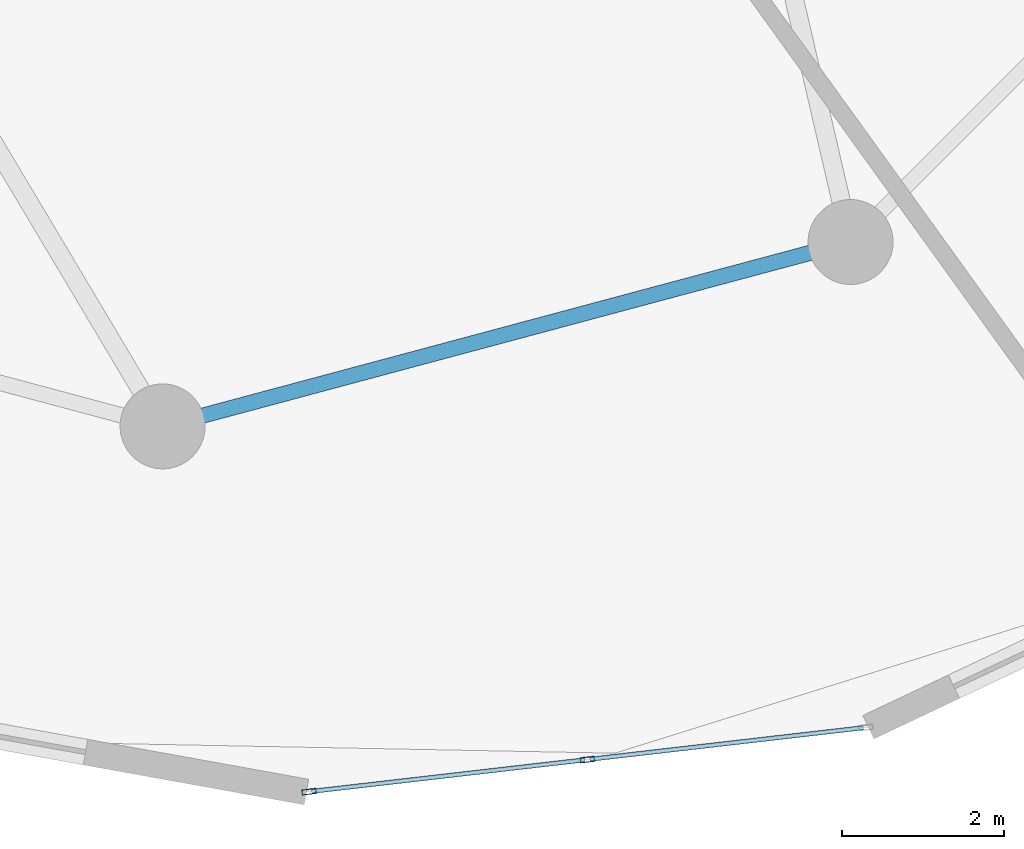
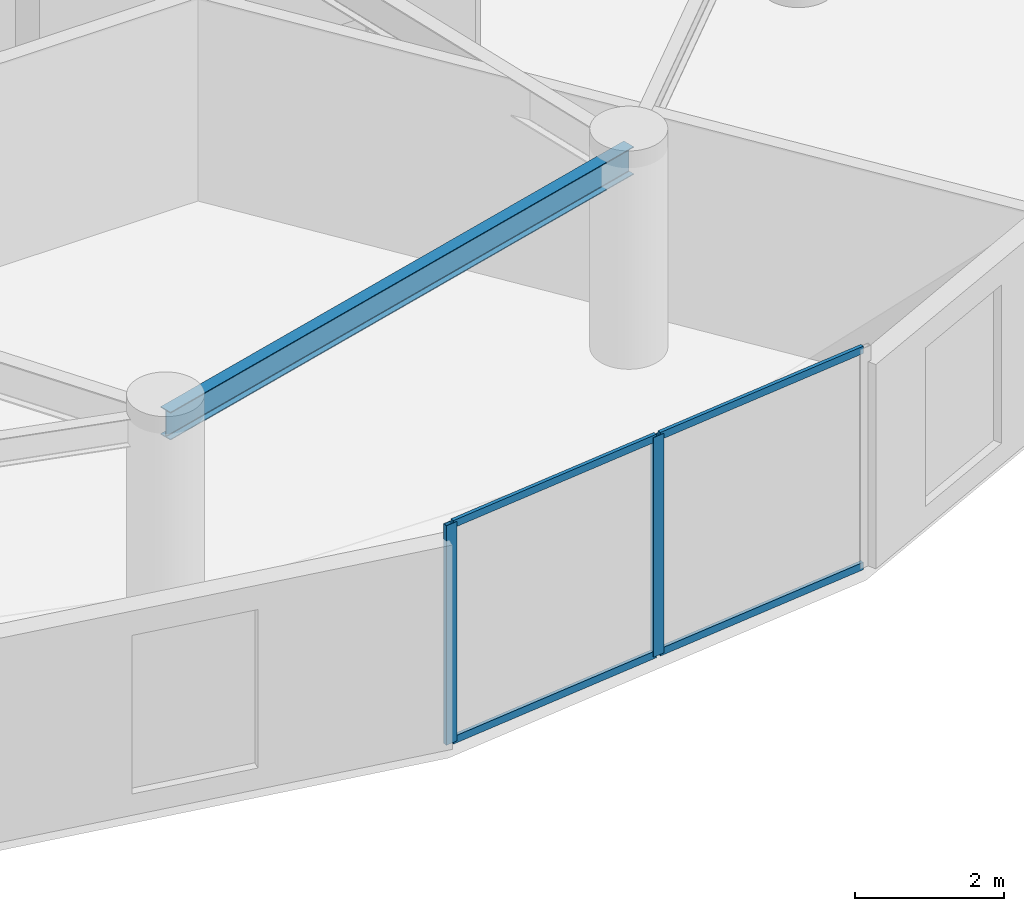
# One storey, part 4 of 26: 6 members, 1 beam, 1 element without a shape of its own.
"""IFC4 building model written with IfcOpenShell, lengths in metres."""

from ifc_helpers import new_model, si_unit, direction, frame, origin, origin_2d, place, context, subcontext, project, spatial, hollow_rectangle, i_section, extrude, source, transform, mapped, material, layer, layer_set, material_profile, profile_set, type_object, element, aggregate, save


model = new_model("IFC4")

# Units and contexts
model_context = context("Model", 3, precision=1e-05, world=origin(), true_north=direction((0.0, 1.0)))
body_context = subcontext(model_context, "Body", "Model", "MODEL_VIEW")
ifc_project = project(units=[si_unit("LENGTHUNIT", "METRE"), si_unit("AREAUNIT", "SQUARE_METRE"), si_unit("VOLUMEUNIT", "CUBIC_METRE"), si_unit("PLANEANGLEUNIT", "RADIAN"), si_unit("MASSUNIT", "GRAM", prefix="KILO")], contexts=[model_context])

# Site, building, storey
site_placement = place(None, origin())
site = spatial("IfcSite", under=ifc_project, at=site_placement, CompositionType="ELEMENT")
building_placement = place(site_placement, origin())
building = spatial("IfcBuilding", under=site, at=building_placement, Name="Solvirekh Grand Hotel", CompositionType="ELEMENT")
storey_placement = place(building_placement, frame((0.0, 0.0, 113.39990234375)))
storey = spatial("IfcBuildingStorey", under=building, at=storey_placement, Name="L28", CompositionType="ELEMENT", Elevation=113.39990234375)

# Beam
ifc_material_1 = material(Name="Steel S355", Category="steel")
ifc_material_profile_1 = material_profile(ifc_material_1, i_section(OverallWidth=0.18994140625, OverallDepth=0.45703125, WebThickness=0.009033203125, FlangeThickness=0.013916015625, FilletRadius=0.012939453125, at=origin_2d()), Name="W460X74")
ifc_profile_set_1 = profile_set([ifc_material_profile_1], Name="Steel S355")
beam_type = type_object("IfcBeamType", Name="Spandrel_Ring_W460", PredefinedType="SPANDREL", material=ifc_profile_set_1)
beam_placement = place(storey_placement, frame((0.0, -17.0, 3.1220703125), z_axis=(0.965911391906, 0.258872908946, 0.0), x_axis=(-0.258872908946, 0.965911391906, 0.0)))
element("IfcBeam", 1, at=beam_placement, inside=storey, type_object=beam_type, Name="L28 perimeter spandrel beam 10", PredefinedType="SPANDREL", context=body_context, shape_type="SweptSolid", body=[
    extrude(i_section(OverallWidth=0.18994140625, OverallDepth=0.45703125, WebThickness=0.009033203125, FlangeThickness=0.013916015625, FilletRadius=0.012939453125, at=origin_2d()), origin(), (0.0, 0.0, 1.0), 8.800048828125),
])

# Curtain wall, members
ifc_material_2 = material(Name="Anodized Bronze Aluminium 6063-T6", Category="aluminium")
ifc_layer = layer(ifc_material_2, 0.175048828125)
ifc_layer_set = layer_set([ifc_layer], Name="Anodized Bronze Aluminium 6063-T6")
curtain_wall_type = type_object("IfcCurtainWallType", Name="CW_Sys3_MidZoneFlushBronzeCW", PredefinedType="NOTDEFINED", material=ifc_layer_set)
curtain_wall_placement = place(storey_placement, origin())
curtain_wall = element("IfcCurtainWall", 2, at=curtain_wall_placement, inside=storey, type_object=curtain_wall_type, Name="L28 unitised bronze-glass curtain wall CW-L28-C18", PredefinedType="NOTDEFINED")
ifc_material_profile_2 = material_profile(ifc_material_2, hollow_rectangle(XDim=0.054931640625, YDim=0.1201171875, WallThickness=0.00390625, at=origin_2d()), Name="ALU RHS 120X55X4")
ifc_profile_set_2 = profile_set([ifc_material_profile_2], Name="Anodized Bronze Aluminium 6063-T6")
member_type_1 = type_object("IfcMemberType", Name="CWTransom_Sys3", PredefinedType="USERDEFINED", material=ifc_profile_set_2)
shared_shape_1 = source(origin(), body_context, "Body", "SweptSolid", [
    extrude(hollow_rectangle(XDim=0.054931640625, YDim=0.1201171875, WallThickness=0.00390625, at=origin_2d()), origin(), (0.0, 0.0, 1.0), 3.397216796875),
])
member_1_placement = place(storey_placement, frame((1.841552734375, -21.509521484375, 0.027587890625), z_axis=(0.993408621124, 0.114626835759, 0.0), x_axis=(-0.114626835759, 0.993408621124, 0.0)))
member_1 = element("IfcMember", 3, at=member_1_placement, type_object=member_type_1, Name="U03 transom 1.1", ObjectType="TRANSOM", PredefinedType="USERDEFINED", context=body_context, shape_type="MappedRepresentation", body=[
    mapped(shared_shape_1, transform((0.0, 0.0, 0.0), x_axis=(1.0, 0.0, 0.0), y_axis=(0.0, 1.0, 0.0), z_axis=(0.0, 0.0, 1.0), scale=1.0)),
])
member_2_placement = place(storey_placement, frame((1.841552734375, -21.509521484375, 3.572509765625), z_axis=(0.993408621124, 0.114626835759, 0.0), x_axis=(-0.114626835759, 0.993408621124, 0.0)))
member_2 = element("IfcMember", 4, at=member_2_placement, type_object=member_type_1, Name="U03 transom 1.2", ObjectType="TRANSOM", PredefinedType="USERDEFINED", context=body_context, shape_type="MappedRepresentation", body=[
    mapped(shared_shape_1, transform((0.0, 0.0, 0.0), x_axis=(1.0, 0.0, 0.0), y_axis=(0.0, 1.0, 0.0), z_axis=(0.0, 0.0, 1.0), scale=1.0)),
])
member_3_placement = place(storey_placement, frame((5.28076171875, -21.11279296875, 0.027587890625), z_axis=(0.993408621124, 0.114626835759, 0.0), x_axis=(-0.114626835759, 0.993408621124, 0.0)))
member_3 = element("IfcMember", 5, at=member_3_placement, type_object=member_type_1, Name="U03 transom 2.1", ObjectType="TRANSOM", PredefinedType="USERDEFINED", context=body_context, shape_type="MappedRepresentation", body=[
    mapped(shared_shape_1, transform((0.0, 0.0, 0.0), x_axis=(1.0, 0.0, 0.0), y_axis=(0.0, 1.0, 0.0), z_axis=(0.0, 0.0, 1.0), scale=1.0)),
])
member_4_placement = place(storey_placement, frame((5.28076171875, -21.11279296875, 3.572509765625), z_axis=(0.993408621124, 0.114626835759, 0.0), x_axis=(-0.114626835759, 0.993408621124, 0.0)))
member_4 = element("IfcMember", 6, at=member_4_placement, type_object=member_type_1, Name="U03 transom 2.2", ObjectType="TRANSOM", PredefinedType="USERDEFINED", context=body_context, shape_type="MappedRepresentation", body=[
    mapped(shared_shape_1, transform((0.0, 0.0, 0.0), x_axis=(1.0, 0.0, 0.0), y_axis=(0.0, 1.0, 0.0), z_axis=(0.0, 0.0, 1.0), scale=1.0)),
])
ifc_material_profile_3 = material_profile(ifc_material_2, hollow_rectangle(XDim=0.06494140625, YDim=0.175048828125, WallThickness=0.0048828125, at=origin_2d()), Name="ALU RHS 175X65X5")
ifc_profile_set_3 = profile_set([ifc_material_profile_3], Name="Anodized Bronze Aluminium 6063-T6")
member_type_2 = type_object("IfcMemberType", Name="CWMullion_Sys3", PredefinedType="MULLION", material=ifc_profile_set_3)
shared_shape_2 = source(origin(), body_context, "Body", "SweptSolid", [
    extrude(hollow_rectangle(XDim=0.06494140625, YDim=0.175048828125, WallThickness=0.0048828125, at=origin_2d()), origin(), (0.0, 0.0, 1.0), 3.60009765625),
])
member_5_placement = place(storey_placement, frame((1.809326171875, -21.51318359375, 0.0), z_axis=(0.0, 0.0, 1.0), x_axis=(-0.114607815536, 0.993410815634, 0.0)))
member_5 = element("IfcMember", 7, at=member_5_placement, type_object=member_type_2, Name="U03 mullion 1", PredefinedType="MULLION", context=body_context, shape_type="MappedRepresentation", body=[
    mapped(shared_shape_2, transform((0.0, 0.0, 0.0), x_axis=(1.0, 0.0, 0.0), y_axis=(0.0, 1.0, 0.0), z_axis=(0.0, 0.0, 1.0), scale=1.0)),
])
member_6_placement = place(storey_placement, frame((5.24853515625, -21.116455078125, 0.0), z_axis=(0.0, 0.0, 1.0), x_axis=(-0.114607815536, 0.993410815634, 0.0)))
member_6 = element("IfcMember", 8, at=member_6_placement, type_object=member_type_2, Name="U03 mullion 2", PredefinedType="MULLION", context=body_context, shape_type="MappedRepresentation", body=[
    mapped(shared_shape_2, transform((0.0, 0.0, 0.0), x_axis=(1.0, 0.0, 0.0), y_axis=(0.0, 1.0, 0.0), z_axis=(0.0, 0.0, 1.0), scale=1.0)),
])
aggregate(curtain_wall, [member_5, member_6, member_1, member_2, member_3, member_4])

save(model, "model.ifc")
